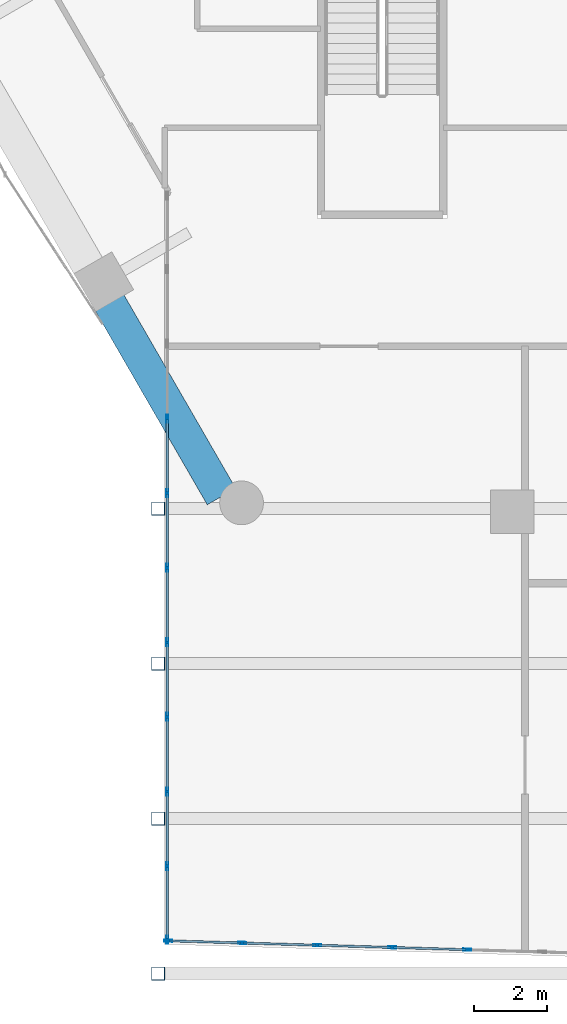
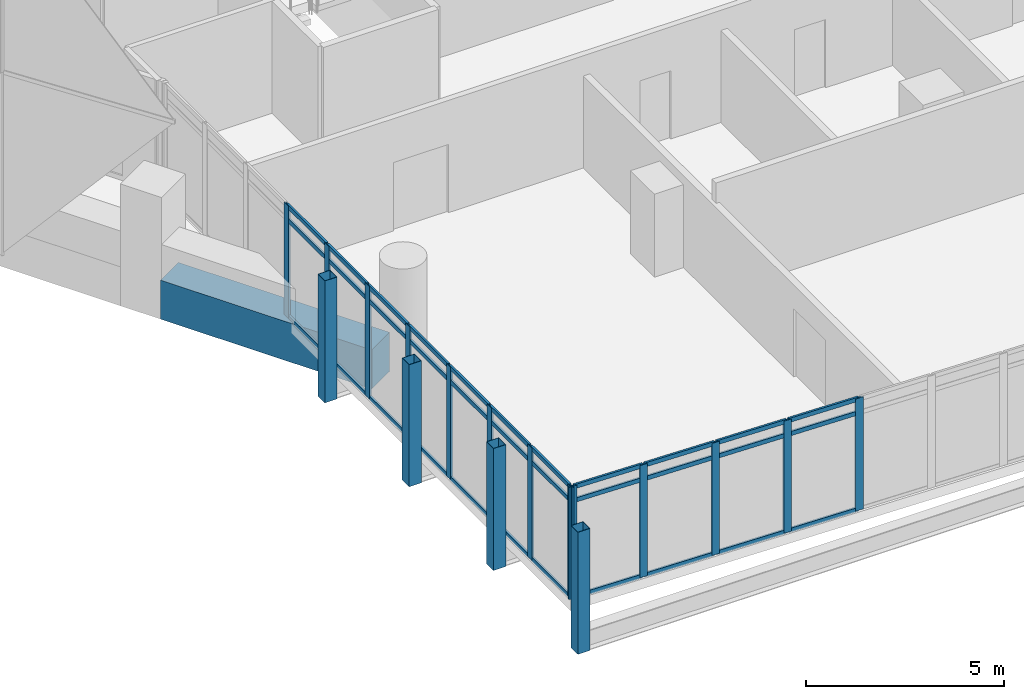
# One storey, part 2 of 38: 50 members, 1 beam, 2 elements without a shape of their own.
"""IFC4 building model written with IfcOpenShell, lengths in metres."""

from ifc_helpers import new_model, si_unit, direction, frame, origin, origin_2d, place, context, subcontext, project, spatial, rectangle, hollow_rectangle, extrude, material, material_profile, profile_set, type_object, element, aggregate, save


model = new_model("IFC4")

# Units and contexts
model_context = context("Model", 3, precision=1e-05, world=origin(), true_north=direction((0.0, 1.0)))
body_context = subcontext(model_context, "Body", "Model", "MODEL_VIEW")
ifc_project = project(units=[si_unit("LENGTHUNIT", "METRE"), si_unit("AREAUNIT", "SQUARE_METRE"), si_unit("VOLUMEUNIT", "CUBIC_METRE"), si_unit("PLANEANGLEUNIT", "RADIAN"), si_unit("MASSUNIT", "GRAM", prefix="KILO")], contexts=[model_context])

# Site, building, storey
site_placement = place(None, origin())
site = spatial("IfcSite", under=ifc_project, at=site_placement, CompositionType="ELEMENT")
building_placement = place(site_placement, origin())
building = spatial("IfcBuilding", under=site, at=building_placement, Name="Ostrander Bayou Hotel Tower", CompositionType="ELEMENT")
storey_placement = place(building_placement, frame((0.0, 0.0, 96.75)))
storey = spatial("IfcBuildingStorey", under=building, at=storey_placement, Name="L24", CompositionType="ELEMENT", Elevation=96.75)

# Curtain wall, members
ifc_material_1 = material(Name="Aluminium and clear glass", Category="aluminium")
curtain_wall_type = type_object("IfcCurtainWallType", Name="CW-BAR glazed wall", PredefinedType="NOTDEFINED", material=ifc_material_1)
curtain_wall_1_placement = place(storey_placement, origin())
curtain_wall_1 = element("IfcCurtainWall", 1, at=curtain_wall_1_placement, inside=storey, type_object=curtain_wall_type, Name="CW-BAR L24:SB2S:E", PredefinedType="NOTDEFINED")
ifc_material_2 = material(Name="Aluminium", Category="aluminium")
ifc_material_profile_1 = material_profile(ifc_material_2, hollow_rectangle(XDim=0.06005859375, YDim=0.219970703125, WallThickness=0.00390625, at=origin_2d()))
ifc_profile_set_1 = profile_set([ifc_material_profile_1], Name="Aluminium")
member_type_1 = type_object("IfcMemberType", Name="CW-BR mullion 60 x 220 mm", PredefinedType="MULLION", material=ifc_profile_set_1)
member_1_placement = place(storey_placement, frame((-13.3671875, -16.98388671875, 0.0), z_axis=(0.0, 0.0, 1.0), x_axis=(1.0, 0.0, 0.0)))
member_1 = element("IfcMember", 2, at=member_1_placement, type_object=member_type_1, Name="CW-BAR mullion 4", PredefinedType="MULLION", context=body_context, shape_type="SweptSolid", body=[
    extrude(hollow_rectangle(XDim=0.06005859375, YDim=0.219970703125, WallThickness=0.00390625, at=origin_2d()), origin(), (0.0, 0.0, 1.0), 3.449951171875),
])
member_2_placement = place(storey_placement, frame((-13.3671875, -19.029296875, 0.0), z_axis=(0.0, 0.0, 1.0), x_axis=(1.0, 0.0, 0.0)))
member_2 = element("IfcMember", 3, at=member_2_placement, type_object=member_type_1, Name="CW-BAR mullion 5", PredefinedType="MULLION", context=body_context, shape_type="SweptSolid", body=[
    extrude(hollow_rectangle(XDim=0.06005859375, YDim=0.219970703125, WallThickness=0.00390625, at=origin_2d()), origin(), (0.0, 0.0, 1.0), 3.449951171875),
])
member_3_placement = place(storey_placement, frame((-13.3671875, -21.07470703125, 0.0), z_axis=(0.0, 0.0, 1.0), x_axis=(1.0, 0.0, 0.0)))
member_3 = element("IfcMember", 4, at=member_3_placement, type_object=member_type_1, Name="CW-BAR mullion 6", PredefinedType="MULLION", context=body_context, shape_type="SweptSolid", body=[
    extrude(hollow_rectangle(XDim=0.06005859375, YDim=0.219970703125, WallThickness=0.00390625, at=origin_2d()), origin(), (0.0, 0.0, 1.0), 3.449951171875),
])
member_4_placement = place(storey_placement, frame((-13.3671875, -23.120361328125, 0.0), z_axis=(0.0, 0.0, 1.0), x_axis=(1.0, 0.0, 0.0)))
member_4 = element("IfcMember", 5, at=member_4_placement, type_object=member_type_1, Name="CW-BAR mullion 7", PredefinedType="MULLION", context=body_context, shape_type="SweptSolid", body=[
    extrude(hollow_rectangle(XDim=0.06005859375, YDim=0.219970703125, WallThickness=0.00390625, at=origin_2d()), origin(), (0.0, 0.0, 1.0), 3.449951171875),
])
member_5_placement = place(storey_placement, frame((-13.3671875, -25.165771484375, 0.0), z_axis=(0.0, 0.0, 1.0), x_axis=(1.0, 0.0, 0.0)))
member_5 = element("IfcMember", 6, at=member_5_placement, type_object=member_type_1, Name="CW-BAR mullion 8", PredefinedType="MULLION", context=body_context, shape_type="SweptSolid", body=[
    extrude(hollow_rectangle(XDim=0.06005859375, YDim=0.219970703125, WallThickness=0.00390625, at=origin_2d()), origin(), (0.0, 0.0, 1.0), 3.449951171875),
])
member_6_placement = place(storey_placement, frame((-13.3671875, -27.211181640625, 0.0), z_axis=(0.0, 0.0, 1.0), x_axis=(1.0, 0.0, 0.0)))
member_6 = element("IfcMember", 7, at=member_6_placement, type_object=member_type_1, Name="CW-BAR mullion 9", PredefinedType="MULLION", context=body_context, shape_type="SweptSolid", body=[
    extrude(hollow_rectangle(XDim=0.06005859375, YDim=0.219970703125, WallThickness=0.00390625, at=origin_2d()), origin(), (0.0, 0.0, 1.0), 3.449951171875),
])
member_7_placement = place(storey_placement, frame((-13.3671875, -29.256591796875, 0.0), z_axis=(0.0, 0.0, 1.0), x_axis=(1.0, 0.0, 0.0)))
member_7 = element("IfcMember", 8, at=member_7_placement, type_object=member_type_1, Name="CW-BAR mullion 10", PredefinedType="MULLION", context=body_context, shape_type="SweptSolid", body=[
    extrude(hollow_rectangle(XDim=0.06005859375, YDim=0.219970703125, WallThickness=0.00390625, at=origin_2d()), origin(), (0.0, 0.0, 1.0), 3.449951171875),
])
member_8_placement = place(storey_placement, frame((-13.3671875, -31.272216796875, 0.0), z_axis=(0.0, 0.0, 1.0), x_axis=(1.0, 0.0, 0.0)))
member_8 = element("IfcMember", 9, at=member_8_placement, type_object=member_type_1, Name="CW-BAR mullion 11", PredefinedType="MULLION", context=body_context, shape_type="SweptSolid", body=[
    extrude(hollow_rectangle(XDim=0.06005859375, YDim=0.219970703125, WallThickness=0.00390625, at=origin_2d()), origin(), (0.0, 0.0, 1.0), 3.449951171875),
])

curtain_wall_2_placement = place(storey_placement, origin())
curtain_wall_2 = element("IfcCurtainWall", 10, at=curtain_wall_2_placement, inside=storey, type_object=curtain_wall_type, Name="CW-BAR L24:SB2S:T", PredefinedType="NOTDEFINED")
member_9_placement = place(storey_placement, frame((-13.337158203125, -31.302978515625, 0.0), z_axis=(0.0, 0.0, 1.0), x_axis=(0.029746242041, 0.999557482631, 0.0)))
member_9 = element("IfcMember", 11, at=member_9_placement, type_object=member_type_1, Name="CW-BAR mullion 1", PredefinedType="MULLION", context=body_context, shape_type="SweptSolid", body=[
    extrude(hollow_rectangle(XDim=0.06005859375, YDim=0.219970703125, WallThickness=0.00390625, at=origin_2d()), origin(), (0.0, 0.0, 1.0), 3.449951171875),
])
member_10_placement = place(storey_placement, frame((-11.310791015625, -31.36328125, 0.0), z_axis=(0.0, 0.0, 1.0), x_axis=(0.029746242041, 0.999557482631, 0.0)))
member_10 = element("IfcMember", 12, at=member_10_placement, type_object=member_type_1, Name="CW-BAR mullion 2", PredefinedType="MULLION", context=body_context, shape_type="SweptSolid", body=[
    extrude(hollow_rectangle(XDim=0.06005859375, YDim=0.219970703125, WallThickness=0.00390625, at=origin_2d()), origin(), (0.0, 0.0, 1.0), 3.449951171875),
])
member_11_placement = place(storey_placement, frame((-9.254150390625, -31.424560546875, 0.0), z_axis=(0.0, 0.0, 1.0), x_axis=(0.029746242041, 0.999557482631, 0.0)))
member_11 = element("IfcMember", 13, at=member_11_placement, type_object=member_type_1, Name="CW-BAR mullion 3", PredefinedType="MULLION", context=body_context, shape_type="SweptSolid", body=[
    extrude(hollow_rectangle(XDim=0.06005859375, YDim=0.219970703125, WallThickness=0.00390625, at=origin_2d()), origin(), (0.0, 0.0, 1.0), 3.449951171875),
])
member_12_placement = place(storey_placement, frame((-7.19775390625, -31.48583984375, 0.0), z_axis=(0.0, 0.0, 1.0), x_axis=(0.029746242041, 0.999557482631, 0.0)))
member_12 = element("IfcMember", 14, at=member_12_placement, type_object=member_type_1, Name="CW-BAR mullion 4", PredefinedType="MULLION", context=body_context, shape_type="SweptSolid", body=[
    extrude(hollow_rectangle(XDim=0.06005859375, YDim=0.219970703125, WallThickness=0.00390625, at=origin_2d()), origin(), (0.0, 0.0, 1.0), 3.449951171875),
])
member_13_placement = place(storey_placement, frame((-5.14111328125, -31.547119140625, 0.0), z_axis=(0.0, 0.0, 1.0), x_axis=(0.029746242041, 0.999557482631, 0.0)))
member_13 = element("IfcMember", 15, at=member_13_placement, type_object=member_type_1, Name="CW-BAR mullion 5", PredefinedType="MULLION", context=body_context, shape_type="SweptSolid", body=[
    extrude(hollow_rectangle(XDim=0.06005859375, YDim=0.219970703125, WallThickness=0.00390625, at=origin_2d()), origin(), (0.0, 0.0, 1.0), 3.449951171875),
])

# Member
ifc_material_3 = material(Name="Aluminium", Category="aluminium")
ifc_material_profile_2 = material_profile(ifc_material_3, hollow_rectangle(XDim=0.06005859375, YDim=0.1298828125, WallThickness=0.00390625, at=origin_2d()))
ifc_profile_set_2 = profile_set([ifc_material_profile_2], Name="Aluminium")
member_type_2 = type_object("IfcMemberType", Name="CW-BR transom 60 x 130 mm", PredefinedType="USERDEFINED", material=ifc_profile_set_2)
member_14_placement = place(storey_placement, frame((-13.3671875, -17.013671875, 0.030029296875), z_axis=(0.0, -1.0, 0.0), x_axis=(1.0, 0.0, 0.0)))
member_14 = element("IfcMember", 16, at=member_14_placement, type_object=member_type_2, Name="CW-BAR transom 4.1", ObjectType="TRANSOM", PredefinedType="USERDEFINED", context=body_context, shape_type="SweptSolid", body=[
    extrude(hollow_rectangle(XDim=0.06005859375, YDim=0.1298828125, WallThickness=0.00390625, at=origin_2d()), origin(), (0.0, 0.0, 1.0), 1.985595703125),
])

member_15_placement = place(storey_placement, frame((-13.3671875, -17.013671875, 3.0), z_axis=(0.0, -1.0, 0.0), x_axis=(1.0, 0.0, 0.0)))
member_15 = element("IfcMember", 17, at=member_15_placement, type_object=member_type_2, Name="CW-BAR transom 4.2", ObjectType="TRANSOM", PredefinedType="USERDEFINED", context=body_context, shape_type="SweptSolid", body=[
    extrude(hollow_rectangle(XDim=0.06005859375, YDim=0.1298828125, WallThickness=0.00390625, at=origin_2d()), origin(), (0.0, 0.0, 1.0), 1.985595703125),
])

member_16_placement = place(storey_placement, frame((-13.3671875, -17.013671875, 3.419921875), z_axis=(0.0, -1.0, 0.0), x_axis=(1.0, 0.0, 0.0)))
member_16 = element("IfcMember", 18, at=member_16_placement, type_object=member_type_2, Name="CW-BAR transom 4.3", ObjectType="TRANSOM", PredefinedType="USERDEFINED", context=body_context, shape_type="SweptSolid", body=[
    extrude(hollow_rectangle(XDim=0.06005859375, YDim=0.1298828125, WallThickness=0.00390625, at=origin_2d()), origin(), (0.0, 0.0, 1.0), 1.985595703125),
])

member_17_placement = place(storey_placement, frame((-13.3671875, -19.059326171875, 0.030029296875), z_axis=(0.0, -1.0, 0.0), x_axis=(1.0, 0.0, 0.0)))
member_17 = element("IfcMember", 19, at=member_17_placement, type_object=member_type_2, Name="CW-BAR transom 5.1", ObjectType="TRANSOM", PredefinedType="USERDEFINED", context=body_context, shape_type="SweptSolid", body=[
    extrude(hollow_rectangle(XDim=0.06005859375, YDim=0.1298828125, WallThickness=0.00390625, at=origin_2d()), origin(), (0.0, 0.0, 1.0), 1.9853515625),
])

member_18_placement = place(storey_placement, frame((-13.3671875, -19.059326171875, 3.0), z_axis=(0.0, -1.0, 0.0), x_axis=(1.0, 0.0, 0.0)))
member_18 = element("IfcMember", 20, at=member_18_placement, type_object=member_type_2, Name="CW-BAR transom 5.2", ObjectType="TRANSOM", PredefinedType="USERDEFINED", context=body_context, shape_type="SweptSolid", body=[
    extrude(hollow_rectangle(XDim=0.06005859375, YDim=0.1298828125, WallThickness=0.00390625, at=origin_2d()), origin(), (0.0, 0.0, 1.0), 1.9853515625),
])

member_19_placement = place(storey_placement, frame((-13.3671875, -19.059326171875, 3.419921875), z_axis=(0.0, -1.0, 0.0), x_axis=(1.0, 0.0, 0.0)))
member_19 = element("IfcMember", 21, at=member_19_placement, type_object=member_type_2, Name="CW-BAR transom 5.3", ObjectType="TRANSOM", PredefinedType="USERDEFINED", context=body_context, shape_type="SweptSolid", body=[
    extrude(hollow_rectangle(XDim=0.06005859375, YDim=0.1298828125, WallThickness=0.00390625, at=origin_2d()), origin(), (0.0, 0.0, 1.0), 1.9853515625),
])

member_20_placement = place(storey_placement, frame((-13.3671875, -21.104736328125, 0.030029296875), z_axis=(0.0, -1.0, 0.0), x_axis=(1.0, 0.0, 0.0)))
member_20 = element("IfcMember", 22, at=member_20_placement, type_object=member_type_2, Name="CW-BAR transom 6.1", ObjectType="TRANSOM", PredefinedType="USERDEFINED", context=body_context, shape_type="SweptSolid", body=[
    extrude(hollow_rectangle(XDim=0.06005859375, YDim=0.1298828125, WallThickness=0.00390625, at=origin_2d()), origin(), (0.0, 0.0, 1.0), 1.985595703125),
])

member_21_placement = place(storey_placement, frame((-13.3671875, -21.104736328125, 3.0), z_axis=(0.0, -1.0, 0.0), x_axis=(1.0, 0.0, 0.0)))
member_21 = element("IfcMember", 23, at=member_21_placement, type_object=member_type_2, Name="CW-BAR transom 6.2", ObjectType="TRANSOM", PredefinedType="USERDEFINED", context=body_context, shape_type="SweptSolid", body=[
    extrude(hollow_rectangle(XDim=0.06005859375, YDim=0.1298828125, WallThickness=0.00390625, at=origin_2d()), origin(), (0.0, 0.0, 1.0), 1.985595703125),
])

member_22_placement = place(storey_placement, frame((-13.3671875, -21.104736328125, 3.419921875), z_axis=(0.0, -1.0, 0.0), x_axis=(1.0, 0.0, 0.0)))
member_22 = element("IfcMember", 24, at=member_22_placement, type_object=member_type_2, Name="CW-BAR transom 6.3", ObjectType="TRANSOM", PredefinedType="USERDEFINED", context=body_context, shape_type="SweptSolid", body=[
    extrude(hollow_rectangle(XDim=0.06005859375, YDim=0.1298828125, WallThickness=0.00390625, at=origin_2d()), origin(), (0.0, 0.0, 1.0), 1.985595703125),
])

member_23_placement = place(storey_placement, frame((-13.3671875, -23.150146484375, 0.030029296875), z_axis=(0.0, -1.0, 0.0), x_axis=(1.0, 0.0, 0.0)))
member_23 = element("IfcMember", 25, at=member_23_placement, type_object=member_type_2, Name="CW-BAR transom 7.1", ObjectType="TRANSOM", PredefinedType="USERDEFINED", context=body_context, shape_type="SweptSolid", body=[
    extrude(hollow_rectangle(XDim=0.06005859375, YDim=0.1298828125, WallThickness=0.00390625, at=origin_2d()), origin(), (0.0, 0.0, 1.0), 1.985595703125),
])

member_24_placement = place(storey_placement, frame((-13.3671875, -23.150146484375, 3.0), z_axis=(0.0, -1.0, 0.0), x_axis=(1.0, 0.0, 0.0)))
member_24 = element("IfcMember", 26, at=member_24_placement, type_object=member_type_2, Name="CW-BAR transom 7.2", ObjectType="TRANSOM", PredefinedType="USERDEFINED", context=body_context, shape_type="SweptSolid", body=[
    extrude(hollow_rectangle(XDim=0.06005859375, YDim=0.1298828125, WallThickness=0.00390625, at=origin_2d()), origin(), (0.0, 0.0, 1.0), 1.985595703125),
])

member_25_placement = place(storey_placement, frame((-13.3671875, -23.150146484375, 3.419921875), z_axis=(0.0, -1.0, 0.0), x_axis=(1.0, 0.0, 0.0)))
member_25 = element("IfcMember", 27, at=member_25_placement, type_object=member_type_2, Name="CW-BAR transom 7.3", ObjectType="TRANSOM", PredefinedType="USERDEFINED", context=body_context, shape_type="SweptSolid", body=[
    extrude(hollow_rectangle(XDim=0.06005859375, YDim=0.1298828125, WallThickness=0.00390625, at=origin_2d()), origin(), (0.0, 0.0, 1.0), 1.985595703125),
])

member_26_placement = place(storey_placement, frame((-13.3671875, -25.19580078125, 0.030029296875), z_axis=(0.0, -1.0, 0.0), x_axis=(1.0, 0.0, 0.0)))
member_26 = element("IfcMember", 28, at=member_26_placement, type_object=member_type_2, Name="CW-BAR transom 8.1", ObjectType="TRANSOM", PredefinedType="USERDEFINED", context=body_context, shape_type="SweptSolid", body=[
    extrude(hollow_rectangle(XDim=0.06005859375, YDim=0.1298828125, WallThickness=0.00390625, at=origin_2d()), origin(), (0.0, 0.0, 1.0), 1.9853515625),
])

member_27_placement = place(storey_placement, frame((-13.3671875, -25.19580078125, 3.0), z_axis=(0.0, -1.0, 0.0), x_axis=(1.0, 0.0, 0.0)))
member_27 = element("IfcMember", 29, at=member_27_placement, type_object=member_type_2, Name="CW-BAR transom 8.2", ObjectType="TRANSOM", PredefinedType="USERDEFINED", context=body_context, shape_type="SweptSolid", body=[
    extrude(hollow_rectangle(XDim=0.06005859375, YDim=0.1298828125, WallThickness=0.00390625, at=origin_2d()), origin(), (0.0, 0.0, 1.0), 1.9853515625),
])

member_28_placement = place(storey_placement, frame((-13.3671875, -25.19580078125, 3.419921875), z_axis=(0.0, -1.0, 0.0), x_axis=(1.0, 0.0, 0.0)))
member_28 = element("IfcMember", 30, at=member_28_placement, type_object=member_type_2, Name="CW-BAR transom 8.3", ObjectType="TRANSOM", PredefinedType="USERDEFINED", context=body_context, shape_type="SweptSolid", body=[
    extrude(hollow_rectangle(XDim=0.06005859375, YDim=0.1298828125, WallThickness=0.00390625, at=origin_2d()), origin(), (0.0, 0.0, 1.0), 1.9853515625),
])

member_29_placement = place(storey_placement, frame((-13.3671875, -27.2412109375, 0.030029296875), z_axis=(0.0, -1.0, 0.0), x_axis=(1.0, 0.0, 0.0)))
member_29 = element("IfcMember", 31, at=member_29_placement, type_object=member_type_2, Name="CW-BAR transom 9.1", ObjectType="TRANSOM", PredefinedType="USERDEFINED", context=body_context, shape_type="SweptSolid", body=[
    extrude(hollow_rectangle(XDim=0.06005859375, YDim=0.1298828125, WallThickness=0.00390625, at=origin_2d()), origin(), (0.0, 0.0, 1.0), 1.985595703125),
])

member_30_placement = place(storey_placement, frame((-13.3671875, -27.2412109375, 3.0), z_axis=(0.0, -1.0, 0.0), x_axis=(1.0, 0.0, 0.0)))
member_30 = element("IfcMember", 32, at=member_30_placement, type_object=member_type_2, Name="CW-BAR transom 9.2", ObjectType="TRANSOM", PredefinedType="USERDEFINED", context=body_context, shape_type="SweptSolid", body=[
    extrude(hollow_rectangle(XDim=0.06005859375, YDim=0.1298828125, WallThickness=0.00390625, at=origin_2d()), origin(), (0.0, 0.0, 1.0), 1.985595703125),
])

member_31_placement = place(storey_placement, frame((-13.3671875, -27.2412109375, 3.419921875), z_axis=(0.0, -1.0, 0.0), x_axis=(1.0, 0.0, 0.0)))
member_31 = element("IfcMember", 33, at=member_31_placement, type_object=member_type_2, Name="CW-BAR transom 9.3", ObjectType="TRANSOM", PredefinedType="USERDEFINED", context=body_context, shape_type="SweptSolid", body=[
    extrude(hollow_rectangle(XDim=0.06005859375, YDim=0.1298828125, WallThickness=0.00390625, at=origin_2d()), origin(), (0.0, 0.0, 1.0), 1.985595703125),
])

member_32_placement = place(storey_placement, frame((-13.3671875, -29.28662109375, 0.030029296875), z_axis=(0.0, -1.0, 0.0), x_axis=(1.0, 0.0, 0.0)))
member_32 = element("IfcMember", 34, at=member_32_placement, type_object=member_type_2, Name="CW-BAR transom 10.1", ObjectType="TRANSOM", PredefinedType="USERDEFINED", context=body_context, shape_type="SweptSolid", body=[
    extrude(hollow_rectangle(XDim=0.06005859375, YDim=0.1298828125, WallThickness=0.00390625, at=origin_2d()), origin(), (0.0, 0.0, 1.0), 1.95556640625),
])

member_33_placement = place(storey_placement, frame((-13.3671875, -29.28662109375, 3.0), z_axis=(0.0, -1.0, 0.0), x_axis=(1.0, 0.0, 0.0)))
member_33 = element("IfcMember", 35, at=member_33_placement, type_object=member_type_2, Name="CW-BAR transom 10.2", ObjectType="TRANSOM", PredefinedType="USERDEFINED", context=body_context, shape_type="SweptSolid", body=[
    extrude(hollow_rectangle(XDim=0.06005859375, YDim=0.1298828125, WallThickness=0.00390625, at=origin_2d()), origin(), (0.0, 0.0, 1.0), 1.95556640625),
])

member_34_placement = place(storey_placement, frame((-13.3671875, -29.28662109375, 3.419921875), z_axis=(0.0, -1.0, 0.0), x_axis=(1.0, 0.0, 0.0)))
member_34 = element("IfcMember", 36, at=member_34_placement, type_object=member_type_2, Name="CW-BAR transom 10.3", ObjectType="TRANSOM", PredefinedType="USERDEFINED", context=body_context, shape_type="SweptSolid", body=[
    extrude(hollow_rectangle(XDim=0.06005859375, YDim=0.1298828125, WallThickness=0.00390625, at=origin_2d()), origin(), (0.0, 0.0, 1.0), 1.95556640625),
])

aggregate(curtain_wall_1, [member_1, member_2, member_3, member_4, member_5, member_6, member_7, member_8, member_14, member_15, member_16, member_17, member_18, member_19, member_20, member_21, member_22, member_23, member_24, member_25, member_26, member_27, member_28, member_29, member_30, member_31, member_32, member_33, member_34])

member_35_placement = place(storey_placement, frame((-13.30712890625, -31.303955078125, 0.030029296875), z_axis=(0.999556419591, -0.029781941738, 0.0), x_axis=(0.029781941738, 0.999556419591, 0.0)))
member_35 = element("IfcMember", 37, at=member_35_placement, type_object=member_type_2, Name="CW-BAR transom 1.1", ObjectType="TRANSOM", PredefinedType="USERDEFINED", context=body_context, shape_type="SweptSolid", body=[
    extrude(hollow_rectangle(XDim=0.06005859375, YDim=0.1298828125, WallThickness=0.00390625, at=origin_2d()), origin(), (0.0, 0.0, 1.0), 1.967529296875),
])

member_36_placement = place(storey_placement, frame((-13.30712890625, -31.303955078125, 3.0), z_axis=(0.999556419591, -0.029781941738, 0.0), x_axis=(0.029781941738, 0.999556419591, 0.0)))
member_36 = element("IfcMember", 38, at=member_36_placement, type_object=member_type_2, Name="CW-BAR transom 1.2", ObjectType="TRANSOM", PredefinedType="USERDEFINED", context=body_context, shape_type="SweptSolid", body=[
    extrude(hollow_rectangle(XDim=0.06005859375, YDim=0.1298828125, WallThickness=0.00390625, at=origin_2d()), origin(), (0.0, 0.0, 1.0), 1.967529296875),
])

member_37_placement = place(storey_placement, frame((-13.30712890625, -31.303955078125, 3.419921875), z_axis=(0.999556419591, -0.029781941738, 0.0), x_axis=(0.029781941738, 0.999556419591, 0.0)))
member_37 = element("IfcMember", 39, at=member_37_placement, type_object=member_type_2, Name="CW-BAR transom 1.3", ObjectType="TRANSOM", PredefinedType="USERDEFINED", context=body_context, shape_type="SweptSolid", body=[
    extrude(hollow_rectangle(XDim=0.06005859375, YDim=0.1298828125, WallThickness=0.00390625, at=origin_2d()), origin(), (0.0, 0.0, 1.0), 1.967529296875),
])

member_38_placement = place(storey_placement, frame((-11.28076171875, -31.3642578125, 0.030029296875), z_axis=(0.999555199151, -0.029822874614, 0.0), x_axis=(0.029822874614, 0.999555199151, 0.0)))
member_38 = element("IfcMember", 40, at=member_38_placement, type_object=member_type_2, Name="CW-BAR transom 2.1", ObjectType="TRANSOM", PredefinedType="USERDEFINED", context=body_context, shape_type="SweptSolid", body=[
    extrude(hollow_rectangle(XDim=0.06005859375, YDim=0.1298828125, WallThickness=0.00390625, at=origin_2d()), origin(), (0.0, 0.0, 1.0), 1.99755859375),
])

member_39_placement = place(storey_placement, frame((-11.28076171875, -31.3642578125, 3.0), z_axis=(0.999555199151, -0.029822874614, 0.0), x_axis=(0.029822874614, 0.999555199151, 0.0)))
member_39 = element("IfcMember", 41, at=member_39_placement, type_object=member_type_2, Name="CW-BAR transom 2.2", ObjectType="TRANSOM", PredefinedType="USERDEFINED", context=body_context, shape_type="SweptSolid", body=[
    extrude(hollow_rectangle(XDim=0.06005859375, YDim=0.1298828125, WallThickness=0.00390625, at=origin_2d()), origin(), (0.0, 0.0, 1.0), 1.99755859375),
])

member_40_placement = place(storey_placement, frame((-11.28076171875, -31.3642578125, 3.419921875), z_axis=(0.999555199151, -0.029822874614, 0.0), x_axis=(0.029822874614, 0.999555199151, 0.0)))
member_40 = element("IfcMember", 42, at=member_40_placement, type_object=member_type_2, Name="CW-BAR transom 2.3", ObjectType="TRANSOM", PredefinedType="USERDEFINED", context=body_context, shape_type="SweptSolid", body=[
    extrude(hollow_rectangle(XDim=0.06005859375, YDim=0.1298828125, WallThickness=0.00390625, at=origin_2d()), origin(), (0.0, 0.0, 1.0), 1.99755859375),
])

member_41_placement = place(storey_placement, frame((-9.22412109375, -31.425537109375, 0.030029296875), z_axis=(0.999558727342, -0.029704386785, 0.0), x_axis=(0.029704386785, 0.999558727342, 0.0)))
member_41 = element("IfcMember", 43, at=member_41_placement, type_object=member_type_2, Name="CW-BAR transom 3.1", ObjectType="TRANSOM", PredefinedType="USERDEFINED", context=body_context, shape_type="SweptSolid", body=[
    extrude(hollow_rectangle(XDim=0.06005859375, YDim=0.1298828125, WallThickness=0.00390625, at=origin_2d()), origin(), (0.0, 0.0, 1.0), 1.997314453125),
])

member_42_placement = place(storey_placement, frame((-9.22412109375, -31.425537109375, 3.0), z_axis=(0.999558727342, -0.029704386785, 0.0), x_axis=(0.029704386785, 0.999558727342, 0.0)))
member_42 = element("IfcMember", 44, at=member_42_placement, type_object=member_type_2, Name="CW-BAR transom 3.2", ObjectType="TRANSOM", PredefinedType="USERDEFINED", context=body_context, shape_type="SweptSolid", body=[
    extrude(hollow_rectangle(XDim=0.06005859375, YDim=0.1298828125, WallThickness=0.00390625, at=origin_2d()), origin(), (0.0, 0.0, 1.0), 1.997314453125),
])

member_43_placement = place(storey_placement, frame((-9.22412109375, -31.425537109375, 3.419921875), z_axis=(0.999558727342, -0.029704386785, 0.0), x_axis=(0.029704386785, 0.999558727342, 0.0)))
member_43 = element("IfcMember", 45, at=member_43_placement, type_object=member_type_2, Name="CW-BAR transom 3.3", ObjectType="TRANSOM", PredefinedType="USERDEFINED", context=body_context, shape_type="SweptSolid", body=[
    extrude(hollow_rectangle(XDim=0.06005859375, YDim=0.1298828125, WallThickness=0.00390625, at=origin_2d()), origin(), (0.0, 0.0, 1.0), 1.997314453125),
])

member_44_placement = place(storey_placement, frame((-7.167724609375, -31.486572265625, 0.030029296875), z_axis=(0.999555199151, -0.029822874614, 0.0), x_axis=(0.029822874614, 0.999555199151, 0.0)))
member_44 = element("IfcMember", 46, at=member_44_placement, type_object=member_type_2, Name="CW-BAR transom 4.1", ObjectType="TRANSOM", PredefinedType="USERDEFINED", context=body_context, shape_type="SweptSolid", body=[
    extrude(hollow_rectangle(XDim=0.06005859375, YDim=0.1298828125, WallThickness=0.00390625, at=origin_2d()), origin(), (0.0, 0.0, 1.0), 1.99755859375),
])

member_45_placement = place(storey_placement, frame((-7.167724609375, -31.486572265625, 3.0), z_axis=(0.999555199151, -0.029822874614, 0.0), x_axis=(0.029822874614, 0.999555199151, 0.0)))
member_45 = element("IfcMember", 47, at=member_45_placement, type_object=member_type_2, Name="CW-BAR transom 4.2", ObjectType="TRANSOM", PredefinedType="USERDEFINED", context=body_context, shape_type="SweptSolid", body=[
    extrude(hollow_rectangle(XDim=0.06005859375, YDim=0.1298828125, WallThickness=0.00390625, at=origin_2d()), origin(), (0.0, 0.0, 1.0), 1.99755859375),
])

member_46_placement = place(storey_placement, frame((-7.167724609375, -31.486572265625, 3.419921875), z_axis=(0.999555199151, -0.029822874614, 0.0), x_axis=(0.029822874614, 0.999555199151, 0.0)))
member_46 = element("IfcMember", 48, at=member_46_placement, type_object=member_type_2, Name="CW-BAR transom 4.3", ObjectType="TRANSOM", PredefinedType="USERDEFINED", context=body_context, shape_type="SweptSolid", body=[
    extrude(hollow_rectangle(XDim=0.06005859375, YDim=0.1298828125, WallThickness=0.00390625, at=origin_2d()), origin(), (0.0, 0.0, 1.0), 1.99755859375),
])

aggregate(curtain_wall_2, [member_9, member_10, member_11, member_12, member_13, member_35, member_36, member_37, member_38, member_39, member_40, member_41, member_42, member_43, member_44, member_45, member_46])

# Beam
ifc_material_4 = material(Name="Concrete f'c 70 MPa", Category="concrete")
ifc_material_profile_3 = material_profile(ifc_material_4, rectangle(XDim=0.89990234375, YDim=1.199951171875, at=origin_2d()))
ifc_profile_set_3 = profile_set([ifc_material_profile_3], Name="Concrete f'c 70 MPa")
beam_type = type_object("IfcBeamType", Name="SP2 spandrel beam 900 x 1200 mm f'c 70 MPa", PredefinedType="SPANDREL", material=ifc_profile_set_3)
beam_placement = place(storey_placement, frame((-14.9521484375, -13.802001953125, -0.60009765625), z_axis=(0.499976998774, -0.866038683141, 0.0), x_axis=(0.866038683141, 0.499976998774, 0.0)))
element("IfcBeam", 49, at=beam_placement, inside=storey, type_object=beam_type, Name="SP2 L24 SW-3", PredefinedType="SPANDREL", context=body_context, shape_type="SweptSolid", body=[
    extrude(rectangle(XDim=0.89990234375, YDim=1.199951171875, at=origin_2d()), origin(), (0.0, 0.0, 1.0), 6.143798828125),
])

# Members
ifc_material_5 = material(Name="Steel ASTM A500 Gr C", Category="steel")
ifc_material_profile_4 = material_profile(ifc_material_5, hollow_rectangle(XDim=0.355712890625, YDim=0.355712890625, WallThickness=0.01171875, at=origin_2d()))
ifc_profile_set_4 = profile_set([ifc_material_profile_4], Name="Steel ASTM A500 Gr C")
member_type_3 = type_object("IfcMemberType", Name="TH2 bar hanger HSS14x14x1/2", PredefinedType="POST", material=ifc_profile_set_4)
for number, where, z_axis, x_axis, name in (
    (50, (-13.6201171875, -19.450927734375, -0.921875), (0.0, 0.0, 1.0), (1.0, 0.0, 0.0), "TH2 SB2SA H1-2"),
    (51, (-13.6201171875, -23.70068359375, -0.921875), (0.0, 0.0, 1.0), (1.0, 0.0, 0.0), "TH2 SB2SA H2-2"),
    (52, (-13.6201171875, -27.9501953125, -0.921875), (0.0, 0.0, 1.0), (1.0, 0.0, 0.0), "TH2 SB2SA H3-2"),
    (53, (-13.6201171875, -32.199951171875, -0.921875), (0.0, 0.0, 1.0), (1.0, 0.0, 0.0), "TH2 SB2SA H4-2"),
):
    element("IfcMember", number, at=place(storey_placement, frame(where, z_axis=z_axis, x_axis=x_axis)), inside=storey, type_object=member_type_3, Name=name, PredefinedType="POST", context=body_context, shape_type="SweptSolid", body=[
        extrude(hollow_rectangle(XDim=0.355712890625, YDim=0.355712890625, WallThickness=0.01171875, at=origin_2d()), origin(), (0.0, 0.0, 1.0), 3.75),
    ])

save(model, "model.ifc")
